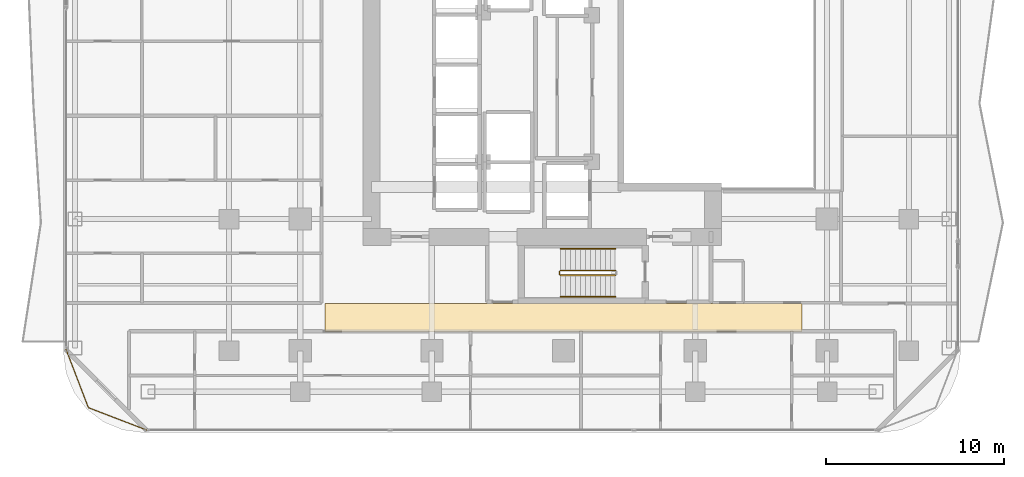
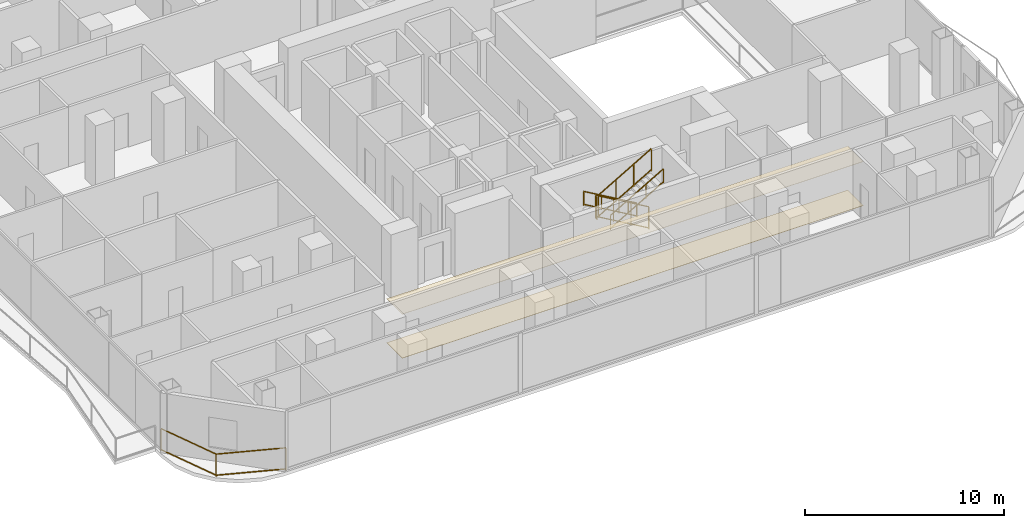
# One storey, part 24 of 27: 6 railings, 2 coverings.
"""IFC4 building model written with IfcOpenShell, lengths in metres."""

from ifc_helpers import new_model, si_unit, direction, frame, origin, origin_2d, place, context, subcontext, project, spatial, polyline, rectangle, outline, extrude, material, layer, layer_set, type_object, element, save


model = new_model("IFC4")

# Units and contexts
model_context = context("Model", 3, precision=1e-05, world=origin(), true_north=direction((0.0, 1.0)))
body_context = subcontext(model_context, "Body", "Model", "MODEL_VIEW")
ifc_project = project(units=[si_unit("LENGTHUNIT", "METRE"), si_unit("AREAUNIT", "SQUARE_METRE"), si_unit("VOLUMEUNIT", "CUBIC_METRE"), si_unit("PLANEANGLEUNIT", "RADIAN"), si_unit("MASSUNIT", "GRAM", prefix="KILO")], contexts=[model_context])

# Site, building, storey
site_placement = place(None, origin())
site = spatial("IfcSite", under=ifc_project, at=site_placement, CompositionType="ELEMENT")
building_placement = place(site_placement, origin())
building = spatial("IfcBuilding", under=site, at=building_placement, Name="Khorvyn Point Tower", CompositionType="ELEMENT")
storey_placement = place(building_placement, frame((0.0, 0.0, 96.89990234375)))
storey = spatial("IfcBuildingStorey", under=building, at=storey_placement, Name="L24", CompositionType="ELEMENT", Elevation=96.89990234375)

# Railing
ifc_material_1 = material(Name="Anodised aluminium 6063-T6 and laminated safety glass", Category="aluminium")
railing_type_1 = type_object("IfcRailingType", Name="Laminated Glass and Aluminium Balcony Guardrail 1400", PredefinedType="BALUSTRADE", material=ifc_material_1)
railing_1_placement = place(storey_placement, frame((-27.97412109375, -14.6708984375, 0.0)))
element("IfcRailing", 1, at=railing_1_placement, inside=storey, type_object=railing_type_1, Name="L24 Rounded Corner Edge Guardrail SW", PredefinedType="BALUSTRADE", context=body_context, shape_type="SweptSolid", body=[
    extrude(rectangle(XDim=0.048095703125, YDim=0.048095703125, at=origin_2d()), frame((0.0, 0.0, 1.3759765625), z_axis=(0.358441788428, -0.933552079055, 0.0), x_axis=(0.933552079055, 0.358441788428, 0.0)), (0.0, 0.0, 1.0), 3.56298828125),
    extrude(rectangle(XDim=0.048095703125, YDim=0.048095703125, at=origin_2d()), frame((0.0, 0.0, 0.080078125), z_axis=(0.358441788428, -0.933552079055, 0.0), x_axis=(0.933552079055, 0.358441788428, 0.0)), (0.0, 0.0, 1.0), 3.56298828125),
    extrude(rectangle(XDim=0.048095703125, YDim=0.048095703125, at=origin_2d()), frame((1.277099609375, -3.326171875, 1.3759765625), z_axis=(0.933575007025, -0.358382067435, 0.0), x_axis=(0.358382067435, 0.933575007025, 0.0)), (0.0, 0.0, 1.0), 3.562744140625),
    extrude(rectangle(XDim=0.048095703125, YDim=0.048095703125, at=origin_2d()), frame((1.277099609375, -3.326171875, 0.080078125), z_axis=(0.933575007025, -0.358382067435, 0.0), x_axis=(0.358382067435, 0.933575007025, 0.0)), (0.0, 0.0, 1.0), 3.562744140625),
    extrude(rectangle(XDim=0.0419921875, YDim=0.0419921875, at=origin_2d()), origin(), (0.0, 0.0, 1.0), 1.351806640625),
    extrude(rectangle(XDim=0.0419921875, YDim=0.0419921875, at=origin_2d()), frame((1.277099609375, -3.326171875, 0.0)), (0.0, 0.0, 1.0), 1.351806640625),
    extrude(rectangle(XDim=0.0419921875, YDim=0.0419921875, at=origin_2d()), frame((4.603271484375, -4.60302734375, 0.0)), (0.0, 0.0, 1.0), 1.351806640625),
])

# Coverings
ifc_material_2 = material(Name="Mineral-fibre acoustic ceiling board", Category="gypsum")
ifc_layer_1 = layer(ifc_material_2, 0.02001953125)
ifc_layer_set_1 = layer_set([ifc_layer_1], Name="Perforated Mineral-Fibre Acoustic Suspended Ceiling 20")
covering_type_1 = type_object("IfcCoveringType", Name="Perforated Mineral-Fibre Acoustic Suspended Ceiling 20", PredefinedType="CEILING", material=ifc_layer_set_1)
covering_1_placement = place(storey_placement, frame((0.0, 0.0, 2.7001953125)))
element("IfcCovering", 2, at=covering_1_placement, inside=storey, type_object=covering_type_1, Name="L24 South Corridor Acoustic Ceiling", PredefinedType="CEILING", context=body_context, shape_type="SweptSolid", body=[
    extrude(outline(polyline([(-13.39990234375, -13.7099609375), (13.39990234375, -13.7099609375), (13.39990234375, -12.139892578125), (-13.39990234375, -12.139892578125), (-13.39990234375, -13.7099609375)])), origin(), (0.0, 0.0, 1.0), 0.02001953125),
])
ifc_material_3 = material(Name="Vitrified porcelain terrazzo tile", Category="ceramic")
ifc_layer_2 = layer(ifc_material_3, 0.01806640625)
ifc_layer_set_2 = layer_set([ifc_layer_2], Name="Porcelain Terrazzo Corridor Floor Finish Tile 18")
covering_type_2 = type_object("IfcCoveringType", Name="Porcelain Terrazzo Corridor Floor Finish Tile 18", PredefinedType="FLOORING", material=ifc_layer_set_2)
covering_2_placement = place(storey_placement, origin())
element("IfcCovering", 3, at=covering_2_placement, inside=storey, type_object=covering_type_2, Name="L24 South Corridor Terrazzo Flooring", PredefinedType="FLOORING", context=body_context, shape_type="SweptSolid", body=[
    extrude(outline(polyline([(-13.39990234375, -13.7099609375), (13.39990234375, -13.7099609375), (13.39990234375, -12.139892578125), (-13.39990234375, -12.139892578125), (-13.39990234375, -13.7099609375)])), origin(), (0.0, 0.0, 1.0), 0.01806640625),
])

# Railings
ifc_material_4 = material(Name="Stainless steel 1.4301", Category="steel")
railing_type_2 = type_object("IfcRailingType", Name="Stainless Steel 304 Stair Pitch Handrail 900", PredefinedType="HANDRAIL", material=ifc_material_4)
railing_2_placement = place(storey_placement, frame((2.89990234375, -9.070068359375, 0.16259765625)))
element("IfcRailing", 4, at=railing_2_placement, inside=storey, type_object=railing_type_2, Name="L24 ST-01 stair handrail 1", PredefinedType="HANDRAIL", context=body_context, shape_type="SweptSolid", body=[
    extrude(rectangle(XDim=0.048095703125, YDim=0.048095703125, at=origin_2d()), frame((0.0, 0.0, 0.8759765625), z_axis=(-0.864873446163, 0.0, 0.501989962173), x_axis=(0.0, -1.0, 0.0)), (0.0, 0.0, 1.0), 3.56103515625),
    extrude(rectangle(XDim=0.048095703125, YDim=0.048095703125, at=origin_2d()), frame((0.0, 0.0, 0.080078125), z_axis=(-0.864873446163, 0.0, 0.501989962173), x_axis=(0.0, -1.0, 0.0)), (0.0, 0.0, 1.0), 3.56103515625),
    extrude(rectangle(XDim=0.0419921875, YDim=0.0419921875, at=origin_2d()), origin(), (0.0, 0.0, 1.0), 0.851806640625),
    extrude(rectangle(XDim=0.0419921875, YDim=0.0419921875, at=origin_2d()), frame((-1.026611328125, 0.0, 0.595947265625)), (0.0, 0.0, 1.0), 0.851806640625),
    extrude(rectangle(XDim=0.0419921875, YDim=0.0419921875, at=origin_2d()), frame((-2.05322265625, 0.0, 1.191650390625)), (0.0, 0.0, 1.0), 0.851806640625),
    extrude(rectangle(XDim=0.0419921875, YDim=0.0419921875, at=origin_2d()), frame((-3.079833984375, 0.0, 1.78759765625)), (0.0, 0.0, 1.0), 0.851806640625),
])
railing_3_placement = place(storey_placement, frame((-0.179931640625, -11.77001953125, 2.112548828125)))
element("IfcRailing", 5, at=railing_3_placement, inside=storey, type_object=railing_type_2, Name="L24 ST-01 stair handrail 2", PredefinedType="HANDRAIL", context=body_context, shape_type="SweptSolid", body=[
    extrude(rectangle(XDim=0.048095703125, YDim=0.048095703125, at=origin_2d()), frame((0.0, 0.0, 0.8759765625), z_axis=(0.864873446163, 0.0, 0.501989962173), x_axis=(0.0, 1.0, 0.0)), (0.0, 0.0, 1.0), 3.56103515625),
    extrude(rectangle(XDim=0.048095703125, YDim=0.048095703125, at=origin_2d()), frame((0.0, 0.0, 0.080078125), z_axis=(0.864873446163, 0.0, 0.501989962173), x_axis=(0.0, 1.0, 0.0)), (0.0, 0.0, 1.0), 3.56103515625),
    extrude(rectangle(XDim=0.0419921875, YDim=0.0419921875, at=origin_2d()), origin(), (0.0, 0.0, 1.0), 0.851806640625),
    extrude(rectangle(XDim=0.0419921875, YDim=0.0419921875, at=origin_2d()), frame((1.026611328125, 0.0, 0.595947265625)), (0.0, 0.0, 1.0), 0.851806640625),
    extrude(rectangle(XDim=0.0419921875, YDim=0.0419921875, at=origin_2d()), frame((2.05322265625, 0.0, 1.191650390625)), (0.0, 0.0, 1.0), 0.851806640625),
    extrude(rectangle(XDim=0.0419921875, YDim=0.0419921875, at=origin_2d()), frame((3.079833984375, 0.0, 1.78759765625)), (0.0, 0.0, 1.0), 0.851806640625),
])
railing_type_3 = type_object("IfcRailingType", Name="Stainless Steel 304 Stair Well Guardrail 1400", PredefinedType="GUARDRAIL", material=ifc_material_4)
railing_4_placement = place(storey_placement, frame((2.89990234375, -10.2900390625, 0.16259765625)))
element("IfcRailing", 6, at=railing_4_placement, inside=storey, type_object=railing_type_3, Name="L24 ST-01 stair guard 1", PredefinedType="GUARDRAIL", context=body_context, shape_type="SweptSolid", body=[
    extrude(rectangle(XDim=0.048095703125, YDim=0.048095703125, at=origin_2d()), frame((0.0, 0.0, 1.3759765625), z_axis=(-0.864873446163, 0.0, 0.501989962173), x_axis=(0.0, -1.0, 0.0)), (0.0, 0.0, 1.0), 3.56103515625),
    extrude(rectangle(XDim=0.048095703125, YDim=0.048095703125, at=origin_2d()), frame((0.0, 0.0, 0.080078125), z_axis=(-0.864873446163, 0.0, 0.501989962173), x_axis=(0.0, -1.0, 0.0)), (0.0, 0.0, 1.0), 3.56103515625),
    extrude(rectangle(XDim=0.0419921875, YDim=0.0419921875, at=origin_2d()), origin(), (0.0, 0.0, 1.0), 1.351806640625),
    extrude(rectangle(XDim=0.0419921875, YDim=0.0419921875, at=origin_2d()), frame((-1.026611328125, 0.0, 0.595947265625)), (0.0, 0.0, 1.0), 1.351806640625),
    extrude(rectangle(XDim=0.0419921875, YDim=0.0419921875, at=origin_2d()), frame((-2.05322265625, 0.0, 1.191650390625)), (0.0, 0.0, 1.0), 1.351806640625),
    extrude(rectangle(XDim=0.0419921875, YDim=0.0419921875, at=origin_2d()), frame((-3.079833984375, 0.0, 1.78759765625)), (0.0, 0.0, 1.0), 1.351806640625),
])
railing_5_placement = place(storey_placement, frame((-0.22998046875, -10.340087890625, 1.9501953125)))
element("IfcRailing", 7, at=railing_5_placement, inside=storey, type_object=railing_type_3, Name="L24 ST-01 stair guard 2", PredefinedType="GUARDRAIL", context=body_context, shape_type="SweptSolid", body=[
    extrude(rectangle(XDim=0.048095703125, YDim=0.048095703125, at=origin_2d()), frame((0.0, 0.0, 1.3759765625), z_axis=(0.0, -1.0, 0.0), x_axis=(1.0, 0.0, 0.0)), (0.0, 0.0, 1.0), 0.159912109375),
    extrude(rectangle(XDim=0.048095703125, YDim=0.048095703125, at=origin_2d()), frame((0.0, 0.0, 0.080078125), z_axis=(0.0, -1.0, 0.0), x_axis=(1.0, 0.0, 0.0)), (0.0, 0.0, 1.0), 0.159912109375),
    extrude(rectangle(XDim=0.0419921875, YDim=0.0419921875, at=origin_2d()), origin(), (0.0, 0.0, 1.0), 1.351806640625),
    extrude(rectangle(XDim=0.0419921875, YDim=0.0419921875, at=origin_2d()), frame((0.0, -0.159912109375, 0.0)), (0.0, 0.0, 1.0), 1.351806640625),
])
railing_6_placement = place(storey_placement, frame((-0.179931640625, -10.550048828125, 2.112548828125)))
element("IfcRailing", 8, at=railing_6_placement, inside=storey, type_object=railing_type_3, Name="L24 ST-01 stair guard 3", PredefinedType="GUARDRAIL", context=body_context, shape_type="SweptSolid", body=[
    extrude(rectangle(XDim=0.048095703125, YDim=0.048095703125, at=origin_2d()), frame((0.0, 0.0, 1.3759765625), z_axis=(0.864873446163, 0.0, 0.501989962173), x_axis=(0.0, 1.0, 0.0)), (0.0, 0.0, 1.0), 3.56103515625),
    extrude(rectangle(XDim=0.048095703125, YDim=0.048095703125, at=origin_2d()), frame((0.0, 0.0, 0.080078125), z_axis=(0.864873446163, 0.0, 0.501989962173), x_axis=(0.0, 1.0, 0.0)), (0.0, 0.0, 1.0), 3.56103515625),
    extrude(rectangle(XDim=0.0419921875, YDim=0.0419921875, at=origin_2d()), origin(), (0.0, 0.0, 1.0), 1.351806640625),
    extrude(rectangle(XDim=0.0419921875, YDim=0.0419921875, at=origin_2d()), frame((1.026611328125, 0.0, 0.595947265625)), (0.0, 0.0, 1.0), 1.351806640625),
    extrude(rectangle(XDim=0.0419921875, YDim=0.0419921875, at=origin_2d()), frame((2.05322265625, 0.0, 1.191650390625)), (0.0, 0.0, 1.0), 1.351806640625),
    extrude(rectangle(XDim=0.0419921875, YDim=0.0419921875, at=origin_2d()), frame((3.079833984375, 0.0, 1.78759765625)), (0.0, 0.0, 1.0), 1.351806640625),
])

save(model, "model.ifc")
